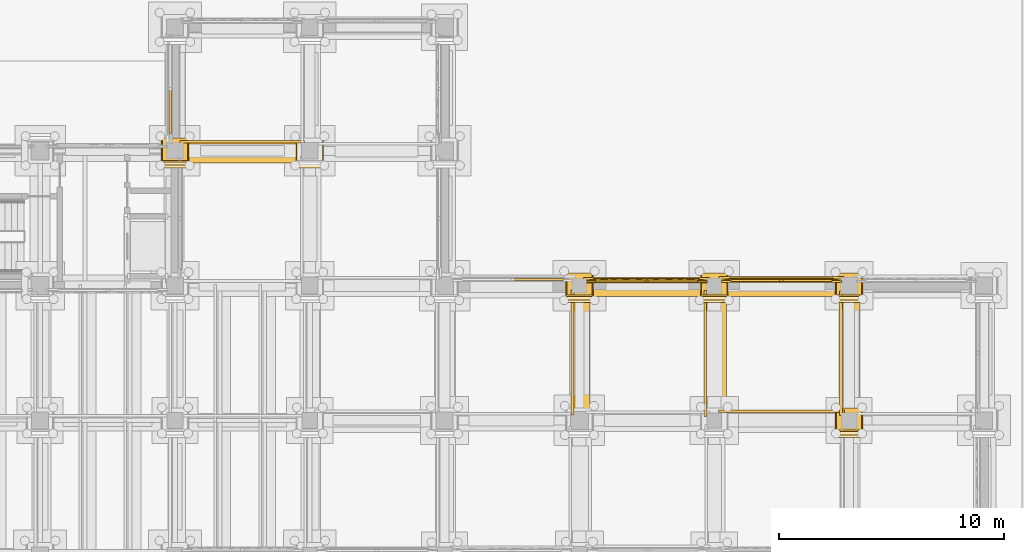
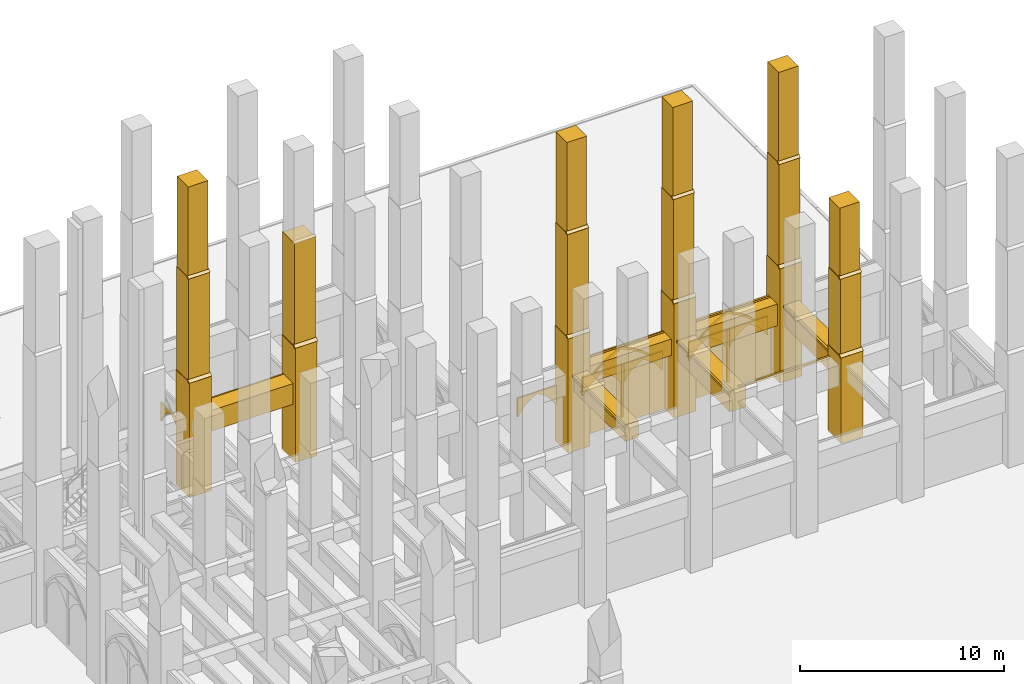
# One storey, part 129 of 135: 55 coverings.
"""IFC4 building model written with IfcOpenShell, lengths in metres."""

from ifc_helpers import new_model, si_unit, direction, frame, origin, origin_2d, place, context, subcontext, project, spatial, polyline, rectangle, outline, extrude, material, type_object, element, save


model = new_model("IFC4")

# Units and contexts
model_context = context("Model", 3, precision=1e-05, world=origin(), true_north=direction((0.0, 1.0)))
body_context = subcontext(model_context, "Body", "Model", "MODEL_VIEW")
ifc_project = project(units=[si_unit("LENGTHUNIT", "METRE"), si_unit("AREAUNIT", "SQUARE_METRE"), si_unit("VOLUMEUNIT", "CUBIC_METRE"), si_unit("PLANEANGLEUNIT", "RADIAN"), si_unit("MASSUNIT", "GRAM", prefix="KILO")], contexts=[model_context])

# Site, building, storey
site_placement = place(None, origin())
site = spatial("IfcSite", under=ifc_project, at=site_placement, CompositionType="ELEMENT")
building_placement = place(site_placement, origin())
building = spatial("IfcBuilding", under=site, at=building_placement, Name="Cumevento Cable Car Station", CompositionType="ELEMENT")
storey_placement = place(building_placement, origin())
storey = spatial("IfcBuildingStorey", under=building, at=storey_placement, Name="L01", CompositionType="ELEMENT", Elevation=0.0)

# Coverings
ifc_material = material(Name="Gnaisse Facoidal Stone Ashlar 85 MPa", Category="masonry")
covering_type = type_object("IfcCoveringType", Name="Gnaisse Ashlar Cladding CV-CL01", PredefinedType="CLADDING", material=ifc_material)
covering_1_placement = place(storey_placement, frame((130.0, 50.909912109375, -0.06005859375), z_axis=(0.0, 0.0, 1.0), x_axis=(1.0, 0.0, 0.0)))
element("IfcCovering", 1, at=covering_1_placement, inside=storey, type_object=covering_type, Name="Stepped Gothic Stone Buttress Tier 1 bt:130.0:51.0", PredefinedType="CLADDING", context=body_context, shape_type="SweptSolid", body=[
    extrude(rectangle(XDim=1.239990234375, YDim=1.300048828125, at=origin_2d()), origin(), (0.0, 0.0, 1.0), 6.885498046875),
])
covering_2_placement = place(storey_placement, frame((129.360107421875, 50.239990234375, 6.8056640625), z_axis=(0.0, -0.711135781079, 0.703054692658), x_axis=(1.0, 0.0, 0.0)))
element("IfcCovering", 2, at=covering_2_placement, inside=storey, type_object=covering_type, Name="Gothic Buttress Sloped Stone Weathering 1 bt:130.0:51.0", PredefinedType="CLADDING", context=body_context, shape_type="SweptSolid", body=[
    extrude(outline(polyline([(0.0, 0.0), (1.27978515625, 0.0), (1.27978515625, 0.24169083397703695), (0.0, 0.24169083397703695), (0.0, 0.0)])), origin(), (0.0, 0.0, -1.0), 0.090087890625),
])
covering_3_placement = place(storey_placement, frame((130.0, 50.969970703125, 6.46337890625), z_axis=(0.0, 0.0, 1.0), x_axis=(1.0, 0.0, 0.0)))
element("IfcCovering", 3, at=covering_3_placement, inside=storey, type_object=covering_type, Name="Stepped Gothic Stone Buttress Tier 2 bt:130.0:51.0", PredefinedType="CLADDING", context=body_context, shape_type="SweptSolid", body=[
    extrude(rectangle(XDim=1.179931640625, YDim=1.179931640625, at=origin_2d()), origin(), (0.0, 0.0, 1.0), 6.523193359375),
])
covering_4_placement = place(storey_placement, frame((129.389892578125, 50.360107421875, 12.96630859375), z_axis=(0.0, -0.714474823669, 0.699661151089), x_axis=(1.0, 0.0, 0.0)))
element("IfcCovering", 4, at=covering_4_placement, inside=storey, type_object=covering_type, Name="Gothic Buttress Sloped Stone Weathering 2 bt:130.0:51.0", PredefinedType="CLADDING", context=body_context, shape_type="SweptSolid", body=[
    extrude(outline(polyline([(0.0, 0.0), (1.22021484375, 0.0), (1.22021484375, 0.21424991728737655), (0.0, 0.21424991728737655), (0.0, 0.0)])), origin(), (0.0, 0.0, -1.0), 0.090087890625),
])
covering_5_placement = place(storey_placement, frame((130.0, 51.02001953125, 12.6240234375), z_axis=(0.0, 0.0, 1.0), x_axis=(1.0, 0.0, 0.0)))
element("IfcCovering", 5, at=covering_5_placement, inside=storey, type_object=covering_type, Name="Stepped Gothic Stone Buttress Tier 3 bt:130.0:51.0", PredefinedType="CLADDING", context=body_context, shape_type="SweptSolid", body=[
    extrude(rectangle(XDim=1.1201171875, YDim=1.080078125, at=origin_2d()), origin(), (0.0, 0.0, 1.0), 5.77587890625),
])
covering_6_placement = place(storey_placement, frame((136.0, 50.909912109375, -0.06005859375), z_axis=(0.0, 0.0, 1.0), x_axis=(1.0, 0.0, 0.0)))
element("IfcCovering", 6, at=covering_6_placement, inside=storey, type_object=covering_type, Name="Stepped Gothic Stone Buttress Tier 1 bt:136.0:51.0", PredefinedType="CLADDING", context=body_context, shape_type="SweptSolid", body=[
    extrude(rectangle(XDim=1.239990234375, YDim=1.300048828125, at=origin_2d()), origin(), (0.0, 0.0, 1.0), 6.885498046875),
])
covering_7_placement = place(storey_placement, frame((135.360107421875, 50.239990234375, 6.8056640625), z_axis=(0.0, -0.711135781079, 0.703054692658), x_axis=(1.0, 0.0, 0.0)))
element("IfcCovering", 7, at=covering_7_placement, inside=storey, type_object=covering_type, Name="Gothic Buttress Sloped Stone Weathering 1 bt:136.0:51.0", PredefinedType="CLADDING", context=body_context, shape_type="SweptSolid", body=[
    extrude(outline(polyline([(0.0, 0.0), (1.27978515625, 0.0), (1.27978515625, 0.24169083397703695), (0.0, 0.24169083397703695), (0.0, 0.0)])), origin(), (0.0, 0.0, -1.0), 0.090087890625),
])
covering_8_placement = place(storey_placement, frame((136.0, 50.969970703125, 6.46337890625), z_axis=(0.0, 0.0, 1.0), x_axis=(1.0, 0.0, 0.0)))
element("IfcCovering", 8, at=covering_8_placement, inside=storey, type_object=covering_type, Name="Stepped Gothic Stone Buttress Tier 2 bt:136.0:51.0", PredefinedType="CLADDING", context=body_context, shape_type="SweptSolid", body=[
    extrude(rectangle(XDim=1.179931640625, YDim=1.179931640625, at=origin_2d()), origin(), (0.0, 0.0, 1.0), 6.523193359375),
])
covering_9_placement = place(storey_placement, frame((148.0, 44.909912109375, -0.06005859375), z_axis=(0.0, 0.0, 1.0), x_axis=(1.0, 0.0, 0.0)))
element("IfcCovering", 9, at=covering_9_placement, inside=storey, type_object=covering_type, Name="Stepped Gothic Stone Buttress Tier 1 bt:148.0:45.0", PredefinedType="CLADDING", context=body_context, shape_type="SweptSolid", body=[
    extrude(rectangle(XDim=1.239990234375, YDim=1.300048828125, at=origin_2d()), origin(), (0.0, 0.0, 1.0), 6.885498046875),
])
covering_10_placement = place(storey_placement, frame((147.360107421875, 44.239990234375, 6.8056640625), z_axis=(0.0, -0.711135781079, 0.703054692658), x_axis=(1.0, 0.0, 0.0)))
element("IfcCovering", 10, at=covering_10_placement, inside=storey, type_object=covering_type, Name="Gothic Buttress Sloped Stone Weathering 1 bt:148.0:45.0", PredefinedType="CLADDING", context=body_context, shape_type="SweptSolid", body=[
    extrude(outline(polyline([(0.0, 0.0), (1.27978515625, 0.0), (1.27978515625, 0.24169083397703695), (0.0, 0.24169083397703695), (0.0, 0.0)])), origin(), (0.0, 0.0, -1.0), 0.090087890625),
])
covering_11_placement = place(storey_placement, frame((148.0, 44.969970703125, 6.46337890625), z_axis=(0.0, 0.0, 1.0), x_axis=(1.0, 0.0, 0.0)))
element("IfcCovering", 11, at=covering_11_placement, inside=storey, type_object=covering_type, Name="Stepped Gothic Stone Buttress Tier 2 bt:148.0:45.0", PredefinedType="CLADDING", context=body_context, shape_type="SweptSolid", body=[
    extrude(rectangle(XDim=1.179931640625, YDim=1.179931640625, at=origin_2d()), origin(), (0.0, 0.0, 1.0), 6.523193359375),
])
covering_12_placement = place(storey_placement, frame((147.389892578125, 44.360107421875, 12.96630859375), z_axis=(0.0, -0.714474823669, 0.699661151089), x_axis=(1.0, 0.0, 0.0)))
element("IfcCovering", 12, at=covering_12_placement, inside=storey, type_object=covering_type, Name="Gothic Buttress Sloped Stone Weathering 2 bt:148.0:45.0", PredefinedType="CLADDING", context=body_context, shape_type="SweptSolid", body=[
    extrude(outline(polyline([(0.0, 0.0), (1.22021484375, 0.0), (1.22021484375, 0.21424991728737655), (0.0, 0.21424991728737655), (0.0, 0.0)])), origin(), (0.0, 0.0, -1.0), 0.090087890625),
])
covering_13_placement = place(storey_placement, frame((148.0, 45.02001953125, 12.6240234375), z_axis=(0.0, 0.0, 1.0), x_axis=(1.0, 0.0, 0.0)))
element("IfcCovering", 13, at=covering_13_placement, inside=storey, type_object=covering_type, Name="Stepped Gothic Stone Buttress Tier 3 bt:148.0:45.0", PredefinedType="CLADDING", context=body_context, shape_type="SweptSolid", body=[
    extrude(rectangle(XDim=1.1201171875, YDim=1.080078125, at=origin_2d()), origin(), (0.0, 0.0, 1.0), 5.77587890625),
])
covering_14_placement = place(storey_placement, frame((154.0, 44.909912109375, -0.06005859375), z_axis=(0.0, 0.0, 1.0), x_axis=(1.0, 0.0, 0.0)))
element("IfcCovering", 14, at=covering_14_placement, inside=storey, type_object=covering_type, Name="Stepped Gothic Stone Buttress Tier 1 bt:154.0:45.0", PredefinedType="CLADDING", context=body_context, shape_type="SweptSolid", body=[
    extrude(rectangle(XDim=1.239990234375, YDim=1.300048828125, at=origin_2d()), origin(), (0.0, 0.0, 1.0), 6.885498046875),
])
covering_15_placement = place(storey_placement, frame((153.360107421875, 44.239990234375, 6.8056640625), z_axis=(0.0, -0.711135781079, 0.703054692658), x_axis=(1.0, 0.0, 0.0)))
element("IfcCovering", 15, at=covering_15_placement, inside=storey, type_object=covering_type, Name="Gothic Buttress Sloped Stone Weathering 1 bt:154.0:45.0", PredefinedType="CLADDING", context=body_context, shape_type="SweptSolid", body=[
    extrude(outline(polyline([(0.0, 0.0), (1.27978515625, 0.0), (1.27978515625, 0.24169083397703695), (0.0, 0.24169083397703695), (0.0, 0.0)])), origin(), (0.0, 0.0, -1.0), 0.090087890625),
])
covering_16_placement = place(storey_placement, frame((154.0, 44.969970703125, 6.46337890625), z_axis=(0.0, 0.0, 1.0), x_axis=(1.0, 0.0, 0.0)))
element("IfcCovering", 16, at=covering_16_placement, inside=storey, type_object=covering_type, Name="Stepped Gothic Stone Buttress Tier 2 bt:154.0:45.0", PredefinedType="CLADDING", context=body_context, shape_type="SweptSolid", body=[
    extrude(rectangle(XDim=1.179931640625, YDim=1.179931640625, at=origin_2d()), origin(), (0.0, 0.0, 1.0), 6.523193359375),
])
covering_17_placement = place(storey_placement, frame((153.389892578125, 44.360107421875, 12.96630859375), z_axis=(0.0, -0.714474823669, 0.699661151089), x_axis=(1.0, 0.0, 0.0)))
element("IfcCovering", 17, at=covering_17_placement, inside=storey, type_object=covering_type, Name="Gothic Buttress Sloped Stone Weathering 2 bt:154.0:45.0", PredefinedType="CLADDING", context=body_context, shape_type="SweptSolid", body=[
    extrude(outline(polyline([(0.0, 0.0), (1.22021484375, 0.0), (1.22021484375, 0.21424991728737655), (0.0, 0.21424991728737655), (0.0, 0.0)])), origin(), (0.0, 0.0, -1.0), 0.090087890625),
])
covering_18_placement = place(storey_placement, frame((154.0, 45.02001953125, 12.6240234375), z_axis=(0.0, 0.0, 1.0), x_axis=(1.0, 0.0, 0.0)))
element("IfcCovering", 18, at=covering_18_placement, inside=storey, type_object=covering_type, Name="Stepped Gothic Stone Buttress Tier 3 bt:154.0:45.0", PredefinedType="CLADDING", context=body_context, shape_type="SweptSolid", body=[
    extrude(rectangle(XDim=1.1201171875, YDim=1.080078125, at=origin_2d()), origin(), (0.0, 0.0, 1.0), 5.77587890625),
])
covering_19_placement = place(storey_placement, frame((160.0, 38.909912109375, -0.06005859375), z_axis=(0.0, 0.0, 1.0), x_axis=(1.0, 0.0, 0.0)))
element("IfcCovering", 19, at=covering_19_placement, inside=storey, type_object=covering_type, Name="Stepped Gothic Stone Buttress Tier 1 bt:160.0:39.0", PredefinedType="CLADDING", context=body_context, shape_type="SweptSolid", body=[
    extrude(rectangle(XDim=1.239990234375, YDim=1.300048828125, at=origin_2d()), origin(), (0.0, 0.0, 1.0), 5.175537109375),
])
covering_20_placement = place(storey_placement, frame((159.360107421875, 38.239990234375, 5.095703125), z_axis=(0.0, -0.711135781079, 0.703054692658), x_axis=(1.0, 0.0, 0.0)))
element("IfcCovering", 20, at=covering_20_placement, inside=storey, type_object=covering_type, Name="Gothic Buttress Sloped Stone Weathering 1 bt:160.0:39.0", PredefinedType="CLADDING", context=body_context, shape_type="SweptSolid", body=[
    extrude(outline(polyline([(0.0, 0.0), (1.27978515625, 0.0), (1.27978515625, 0.24169083397703695), (0.0, 0.24169083397703695), (0.0, 0.0)])), origin(), (0.0, 0.0, -1.0), 0.090087890625),
])
covering_21_placement = place(storey_placement, frame((160.0, 38.969970703125, 4.84326171875), z_axis=(0.0, 0.0, 1.0), x_axis=(1.0, 0.0, 0.0)))
element("IfcCovering", 21, at=covering_21_placement, inside=storey, type_object=covering_type, Name="Stepped Gothic Stone Buttress Tier 2 bt:160.0:39.0", PredefinedType="CLADDING", context=body_context, shape_type="SweptSolid", body=[
    extrude(rectangle(XDim=1.179931640625, YDim=1.179931640625, at=origin_2d()), origin(), (0.0, 0.0, 1.0), 4.9033203125),
])
covering_22_placement = place(storey_placement, frame((159.389892578125, 38.360107421875, 9.726318359375), z_axis=(0.0, -0.714474823669, 0.699661151089), x_axis=(1.0, 0.0, 0.0)))
element("IfcCovering", 22, at=covering_22_placement, inside=storey, type_object=covering_type, Name="Gothic Buttress Sloped Stone Weathering 2 bt:160.0:39.0", PredefinedType="CLADDING", context=body_context, shape_type="SweptSolid", body=[
    extrude(outline(polyline([(0.0, 0.0), (1.22021484375, 0.0), (1.22021484375, 0.21424991728737655), (0.0, 0.21424991728737655), (0.0, 0.0)])), origin(), (0.0, 0.0, -1.0), 0.090087890625),
])
covering_23_placement = place(storey_placement, frame((160.0, 39.02001953125, 9.47412109375), z_axis=(0.0, 0.0, 1.0), x_axis=(1.0, 0.0, 0.0)))
element("IfcCovering", 23, at=covering_23_placement, inside=storey, type_object=covering_type, Name="Stepped Gothic Stone Buttress Tier 3 bt:160.0:39.0", PredefinedType="CLADDING", context=body_context, shape_type="SweptSolid", body=[
    extrude(rectangle(XDim=1.1201171875, YDim=1.080078125, at=origin_2d()), origin(), (0.0, 0.0, 1.0), 4.426025390625),
])
covering_24_placement = place(storey_placement, frame((160.0, 44.909912109375, -0.06005859375), z_axis=(0.0, 0.0, 1.0), x_axis=(1.0, 0.0, 0.0)))
element("IfcCovering", 24, at=covering_24_placement, inside=storey, type_object=covering_type, Name="Stepped Gothic Stone Buttress Tier 1 bt:160.0:45.0", PredefinedType="CLADDING", context=body_context, shape_type="SweptSolid", body=[
    extrude(rectangle(XDim=1.239990234375, YDim=1.300048828125, at=origin_2d()), origin(), (0.0, 0.0, 1.0), 6.885498046875),
])
covering_25_placement = place(storey_placement, frame((159.360107421875, 44.239990234375, 6.8056640625), z_axis=(0.0, -0.711135781079, 0.703054692658), x_axis=(1.0, 0.0, 0.0)))
element("IfcCovering", 25, at=covering_25_placement, inside=storey, type_object=covering_type, Name="Gothic Buttress Sloped Stone Weathering 1 bt:160.0:45.0", PredefinedType="CLADDING", context=body_context, shape_type="SweptSolid", body=[
    extrude(outline(polyline([(0.0, 0.0), (1.27978515625, 0.0), (1.27978515625, 0.24169083397703695), (0.0, 0.24169083397703695), (0.0, 0.0)])), origin(), (0.0, 0.0, -1.0), 0.090087890625),
])
covering_26_placement = place(storey_placement, frame((160.0, 44.969970703125, 6.46337890625), z_axis=(0.0, 0.0, 1.0), x_axis=(1.0, 0.0, 0.0)))
element("IfcCovering", 26, at=covering_26_placement, inside=storey, type_object=covering_type, Name="Stepped Gothic Stone Buttress Tier 2 bt:160.0:45.0", PredefinedType="CLADDING", context=body_context, shape_type="SweptSolid", body=[
    extrude(rectangle(XDim=1.179931640625, YDim=1.179931640625, at=origin_2d()), origin(), (0.0, 0.0, 1.0), 6.523193359375),
])
covering_27_placement = place(storey_placement, frame((159.389892578125, 44.360107421875, 12.96630859375), z_axis=(0.0, -0.714474823669, 0.699661151089), x_axis=(1.0, 0.0, 0.0)))
element("IfcCovering", 27, at=covering_27_placement, inside=storey, type_object=covering_type, Name="Gothic Buttress Sloped Stone Weathering 2 bt:160.0:45.0", PredefinedType="CLADDING", context=body_context, shape_type="SweptSolid", body=[
    extrude(outline(polyline([(0.0, 0.0), (1.22021484375, 0.0), (1.22021484375, 0.21424991728737655), (0.0, 0.21424991728737655), (0.0, 0.0)])), origin(), (0.0, 0.0, -1.0), 0.090087890625),
])
covering_28_placement = place(storey_placement, frame((160.0, 45.02001953125, 12.6240234375), z_axis=(0.0, 0.0, 1.0), x_axis=(1.0, 0.0, 0.0)))
element("IfcCovering", 28, at=covering_28_placement, inside=storey, type_object=covering_type, Name="Stepped Gothic Stone Buttress Tier 3 bt:160.0:45.0", PredefinedType="CLADDING", context=body_context, shape_type="SweptSolid", body=[
    extrude(rectangle(XDim=1.1201171875, YDim=1.080078125, at=origin_2d()), origin(), (0.0, 0.0, 1.0), 5.77587890625),
])
covering_29_placement = place(storey_placement, frame((156.987548828125, 39.407470703125, 4.400146484375), z_axis=(0.0, 0.0, 1.0), x_axis=(1.0, 0.0, 0.0)))
element("IfcCovering", 29, at=covering_29_placement, inside=storey, type_object=covering_type, Name="Gothic Cornice Dripstone Lip sc:0213", PredefinedType="CLADDING", context=body_context, shape_type="SweptSolid", body=[
    extrude(rectangle(XDim=5.60498046875, YDim=0.114990234375, at=origin_2d()), origin(), (0.0, 0.0, 1.0), 0.1298828125),
])
covering_30_placement = place(storey_placement, frame((150.987548828125, 44.89990234375, 3.5400390625), z_axis=(0.0, 0.0, 1.0), x_axis=(1.0, 0.0, 0.0)))
element("IfcCovering", 30, at=covering_30_placement, inside=storey, type_object=covering_type, Name="Gothic Stone Spandrel Stringcourse sc:0217", PredefinedType="CLADDING", context=body_context, shape_type="SweptSolid", body=[
    extrude(rectangle(XDim=5.56494140625, YDim=0.760009765625, at=origin_2d()), origin(), (0.0, 0.0, 1.0), 0.989990234375),
])
covering_31_placement = place(storey_placement, frame((150.987548828125, 45.3076171875, 4.400146484375), z_axis=(0.0, 0.0, 1.0), x_axis=(1.0, 0.0, 0.0)))
element("IfcCovering", 31, at=covering_31_placement, inside=storey, type_object=covering_type, Name="Gothic Cornice Dripstone Lip sc:0217", PredefinedType="CLADDING", context=body_context, shape_type="SweptSolid", body=[
    extrude(rectangle(XDim=5.60498046875, YDim=0.114990234375, at=origin_2d()), origin(), (0.0, 0.0, 1.0), 0.1298828125),
])
covering_32_placement = place(storey_placement, frame((156.987548828125, 44.919921875, 3.239990234375), z_axis=(0.0, 0.0, 1.0), x_axis=(1.0, 0.0, 0.0)))
element("IfcCovering", 32, at=covering_32_placement, inside=storey, type_object=covering_type, Name="Gothic Stone Spandrel Stringcourse sc:0218", PredefinedType="CLADDING", context=body_context, shape_type="SweptSolid", body=[
    extrude(rectangle(XDim=5.514892578125, YDim=0.820068359375, at=origin_2d()), origin(), (0.0, 0.0, 1.0), 1.2900390625),
])
covering_33_placement = place(storey_placement, frame((156.987548828125, 45.357421875, 4.400146484375), z_axis=(0.0, 0.0, 1.0), x_axis=(1.0, 0.0, 0.0)))
element("IfcCovering", 33, at=covering_33_placement, inside=storey, type_object=covering_type, Name="Gothic Cornice Dripstone Lip sc:0218", PredefinedType="CLADDING", context=body_context, shape_type="SweptSolid", body=[
    extrude(rectangle(XDim=5.554931640625, YDim=0.114990234375, at=origin_2d()), origin(), (0.0, 0.0, 1.0), 0.1298828125),
])
covering_34_placement = place(storey_placement, frame((148.10009765625, 42.03759765625, 3.5400390625), z_axis=(0.0, 0.0, 1.0), x_axis=(0.0, 1.0, 0.0)))
element("IfcCovering", 34, at=covering_34_placement, inside=storey, type_object=covering_type, Name="Gothic Stone Spandrel Stringcourse sc:0223", PredefinedType="CLADDING", context=body_context, shape_type="SweptSolid", body=[
    extrude(rectangle(XDim=5.514892578125, YDim=0.760009765625, at=origin_2d()), origin(), (0.0, 0.0, 1.0), 0.989990234375),
])
covering_35_placement = place(storey_placement, frame((147.6923828125, 42.03759765625, 4.400146484375), z_axis=(0.0, 0.0, 1.0), x_axis=(0.0, 1.0, 0.0)))
element("IfcCovering", 35, at=covering_35_placement, inside=storey, type_object=covering_type, Name="Gothic Cornice Dripstone Lip sc:0223", PredefinedType="CLADDING", context=body_context, shape_type="SweptSolid", body=[
    extrude(rectangle(XDim=5.554931640625, YDim=0.114990234375, at=origin_2d()), origin(), (0.0, 0.0, 1.0), 0.1298828125),
])
covering_36_placement = place(storey_placement, frame((154.080078125, 41.987548828125, 3.2900390625), z_axis=(0.0, 0.0, 1.0), x_axis=(0.0, 1.0, 0.0)))
element("IfcCovering", 36, at=covering_36_placement, inside=storey, type_object=covering_type, Name="Gothic Stone Spandrel Stringcourse sc:0225", PredefinedType="CLADDING", context=body_context, shape_type="SweptSolid", body=[
    extrude(rectangle(XDim=5.56494140625, YDim=0.919921875, at=origin_2d()), origin(), (0.0, 0.0, 1.0), 1.239990234375),
])
covering_37_placement = place(storey_placement, frame((153.592529296875, 41.987548828125, 4.400146484375), z_axis=(0.0, 0.0, 1.0), x_axis=(0.0, 1.0, 0.0)))
element("IfcCovering", 37, at=covering_37_placement, inside=storey, type_object=covering_type, Name="Gothic Cornice Dripstone Lip sc:0225", PredefinedType="CLADDING", context=body_context, shape_type="SweptSolid", body=[
    extrude(rectangle(XDim=5.60498046875, YDim=0.114990234375, at=origin_2d()), origin(), (0.0, 0.0, 1.0), 0.1298828125),
])
covering_38_placement = place(storey_placement, frame((160.080078125, 41.987548828125, 3.239990234375), z_axis=(0.0, 0.0, 1.0), x_axis=(0.0, 1.0, 0.0)))
element("IfcCovering", 38, at=covering_38_placement, inside=storey, type_object=covering_type, Name="Gothic Stone Spandrel Stringcourse sc:0227", PredefinedType="CLADDING", context=body_context, shape_type="SweptSolid", body=[
    extrude(rectangle(XDim=5.514892578125, YDim=0.820068359375, at=origin_2d()), origin(), (0.0, 0.0, 1.0), 1.2900390625),
])
covering_39_placement = place(storey_placement, frame((159.642578125, 41.987548828125, 4.400146484375), z_axis=(0.0, 0.0, 1.0), x_axis=(0.0, 1.0, 0.0)))
element("IfcCovering", 39, at=covering_39_placement, inside=storey, type_object=covering_type, Name="Gothic Cornice Dripstone Lip sc:0227", PredefinedType="CLADDING", context=body_context, shape_type="SweptSolid", body=[
    extrude(rectangle(XDim=5.554931640625, YDim=0.114990234375, at=origin_2d()), origin(), (0.0, 0.0, 1.0), 0.1298828125),
])
covering_40_placement = place(storey_placement, frame((133.0, 50.919921875, 3.328125), z_axis=(0.0, 0.0, 1.0), x_axis=(1.0, 0.0, 0.0)))
element("IfcCovering", 40, at=covering_40_placement, inside=storey, type_object=covering_type, Name="Gothic Stone Spandrel Stringcourse sc:0233", PredefinedType="CLADDING", context=body_context, shape_type="SweptSolid", body=[
    extrude(rectangle(XDim=5.489990234375, YDim=0.919921875, at=origin_2d()), origin(), (0.0, 0.0, 1.0), 1.239990234375),
])
covering_41_placement = place(storey_placement, frame((133.0, 51.407470703125, 4.43798828125), z_axis=(0.0, 0.0, 1.0), x_axis=(1.0, 0.0, 0.0)))
element("IfcCovering", 41, at=covering_41_placement, inside=storey, type_object=covering_type, Name="Gothic Cornice Dripstone Lip sc:0233", PredefinedType="CLADDING", context=body_context, shape_type="SweptSolid", body=[
    extrude(rectangle(XDim=5.530029296875, YDim=0.114990234375, at=origin_2d()), origin(), (0.0, 0.0, 1.0), 0.1298828125),
])
covering_42_placement = place(storey_placement, frame((145.08251953125, 45.0, 2.340087890625), z_axis=(0.0, 0.0, 1.0), x_axis=(1.0, 0.0, 0.0)))
element("IfcCovering", 42, at=covering_42_placement, inside=storey, type_object=covering_type, Name="Gothic Ogival Pointed-Arch Stone Spandrel blind_ogival:0083:sub:1", PredefinedType="CLADDING", context=body_context, shape_type="SweptSolid", body=[
    extrude(outline(polyline([(-0.02001953125, 0.0), (-0.02001953125, 1.115966796875), (2.202392578125, 1.115966796875), (2.202392578125, 0.0), (2.142578125, 0.0), (2.02001953125, 0.21337890625), (1.873291015625, 0.4111328125), (1.704833984375, 0.590576171875), (1.5166015625, 0.749267578125), (1.31103515625, 0.885009765625), (1.09130859375, 0.99609375), (0.87158203125, 0.885009765625), (0.666015625, 0.749267578125), (0.477783203125, 0.590576171875), (0.309326171875, 0.4111328125), (0.16259765625, 0.21337890625), (0.0400390625, 0.0), (-0.02001953125, 0.0)])), frame((0.0, 0.31396484375, 0.0), z_axis=(0.0, -1.0, 0.0), x_axis=(1.0, 0.0, 0.0)), (0.0, 0.0, 1.0), 0.090087890625),
])
covering_43_placement = place(storey_placement, frame((148.324951171875, 45.0, 0.0), z_axis=(0.0, 0.0, 1.0), x_axis=(1.0, 0.0, 0.0)))
element("IfcCovering", 43, at=covering_43_placement, inside=storey, type_object=covering_type, Name="Exterior Gnaisse Stone Wall Ashlar #84", PredefinedType="CLADDING", context=body_context, shape_type="SweptSolid", body=[
    extrude(outline(polyline([(-0.0400390625, -0.02001953125), (5.364990234375, -0.02001953125), (5.364990234375, 4.52001953125), (-0.0400390625, 4.52001953125), (-0.0400390625, -0.02001953125)])), frame((0.0, 0.215087890625, 0.0), z_axis=(0.0, -1.0, 0.0), x_axis=(1.0, 0.0, 0.0)), (0.0, 0.0, 1.0), 0.0849609375),
])
placement_1 = place(storey_placement, frame((148.5048828125, 45.0, 0.300048828125), z_axis=(0.0, 0.0, 1.0), x_axis=(1.0, 0.0, 0.0)))
element("IfcCovering", 44, at=placement_1, inside=storey, type_object=covering_type, Name="Gothic Ogival Pointed-Arch Stone Spandrel blind_ogival:0084", PredefinedType="CLADDING", context=body_context, shape_type="SweptSolid", body=[
    extrude(outline(polyline([(-0.050048828125, 0.0), (-0.050048828125, 4.239990234375), (5.014892578125, 4.239990234375), (5.014892578125, 0.0), (4.705078125, 0.0), (4.705078125, 2.219970703125), (4.46337890625, 2.557373046875), (4.1923828125, 2.8720703125), (3.894287109375, 3.1611328125), (3.57177734375, 3.42236328125), (3.22705078125, 3.65380859375), (2.863037109375, 3.853515625), (2.482421875, 4.02001953125), (2.10205078125, 3.853515625), (1.738037109375, 3.65380859375), (1.393310546875, 3.42236328125), (1.07080078125, 3.1611328125), (0.772705078125, 2.8720703125), (0.501708984375, 2.557373046875), (0.260009765625, 2.219970703125), (0.260009765625, 0.0), (-0.050048828125, 0.0)])), frame((0.0, 0.27001953125, 0.0), z_axis=(0.0, -1.0, 0.0), x_axis=(1.0, 0.0, 0.0)), (0.0, 0.0, 1.0), 0.110107421875),
])
covering_45_placement = place(storey_placement, frame((148.5048828125, 45.0, 2.52001953125), z_axis=(0.0, 0.0, 1.0), x_axis=(1.0, 0.0, 0.0)))
element("IfcCovering", 45, at=covering_45_placement, inside=storey, type_object=covering_type, Name="Gothic Pointed Archivolt Hood Moulding blind_ogival:0084", PredefinedType="CLADDING", context=body_context, shape_type="SweptSolid", body=[
    extrude(outline(polyline([(0.260009765625, 0.0), (0.501708984375, 0.33740234375), (0.772705078125, 0.652099609375), (1.07080078125, 0.941162109375), (1.393310546875, 1.202392578125), (1.738037109375, 1.433837890625), (2.10205078125, 1.633544921875), (2.482421875, 1.800048828125), (2.863037109375, 1.633544921875), (3.22705078125, 1.433837890625), (3.57177734375, 1.202392578125), (3.894287109375, 0.941162109375), (4.1923828125, 0.652099609375), (4.46337890625, 0.33740234375), (4.705078125, 0.0), (4.825927734375, 0.0), (4.574951171875, 0.364990234375), (4.291748046875, 0.70556640625), (3.978515625, 1.018798828125), (3.637939453125, 1.30224609375), (3.273193359375, 1.553466796875), (2.886962890625, 1.7705078125), (2.482421875, 1.951171875), (2.078125, 1.7705078125), (1.69189453125, 1.553466796875), (1.3271484375, 1.30224609375), (0.986572265625, 1.018798828125), (0.67333984375, 0.70556640625), (0.39013671875, 0.364990234375), (0.138916015625, 0.0), (0.260009765625, 0.0)])), frame((0.0, 0.31201171875, 0.0), z_axis=(0.0, -1.0, 0.0), x_axis=(1.0, 0.0, 0.0)), (0.0, 0.0, 1.0), 0.06689453125),
])
element("IfcCovering", 46, at=placement_1, inside=storey, type_object=covering_type, Name="Gothic Bifora Stone Colonnette blind_ogival:0084 #1", PredefinedType="CLADDING", context=body_context, shape_type="SweptSolid", body=[
    extrude(outline(polyline([(2.407470703125, -0.02001953125), (2.5576171875, -0.02001953125), (2.5576171875, 3.156005859375), (2.407470703125, 3.156005859375), (2.407470703125, -0.02001953125)])), frame((0.0, 0.258056640625, 0.0), z_axis=(0.0, -1.0, 0.0), x_axis=(1.0, 0.0, 0.0)), (0.0, 0.0, 1.0), 0.094970703125),
])
for number, where, z_axis, x_axis, name in (
    (47, (148.735107421875, 45.0, 2.340087890625), (0.0, 0.0, 1.0), (1.0, 0.0, 0.0), "Gothic Ogival Pointed-Arch Stone Spandrel blind_ogival:0084:sub:0"),
    (48, (151.032470703125, 45.0, 2.340087890625), (0.0, 0.0, 1.0), (1.0, 0.0, 0.0), "Gothic Ogival Pointed-Arch Stone Spandrel blind_ogival:0084:sub:1"),
):
    element("IfcCovering", number, at=place(storey_placement, frame(where, z_axis=z_axis, x_axis=x_axis)), inside=storey, type_object=covering_type, Name=name, PredefinedType="CLADDING", context=body_context, shape_type="SweptSolid", body=[
        extrude(outline(polyline([(-0.02001953125, 0.0), (-0.02001953125, 1.115966796875), (2.2275390625, 1.115966796875), (2.2275390625, 0.0), (2.16748046875, 0.0), (2.04248046875, 0.213623046875), (1.893310546875, 0.41162109375), (1.72265625, 0.591064453125), (1.532470703125, 0.74951171875), (1.3251953125, 0.88525390625), (1.103759765625, 0.99609375), (0.88232421875, 0.88525390625), (0.675048828125, 0.74951171875), (0.48486328125, 0.591064453125), (0.314208984375, 0.41162109375), (0.1650390625, 0.213623046875), (0.0400390625, 0.0), (-0.02001953125, 0.0)])), frame((0.0, 0.25390625, 0.0), z_axis=(0.0, -1.0, 0.0), x_axis=(1.0, 0.0, 0.0)), (0.0, 0.0, 1.0), 0.090087890625),
    ])
covering_47_placement = place(storey_placement, frame((154.35009765625, 45.0, 0.0), z_axis=(0.0, 0.0, 1.0), x_axis=(1.0, 0.0, 0.0)))
element("IfcCovering", 49, at=covering_47_placement, inside=storey, type_object=covering_type, Name="Exterior Gnaisse Stone Wall Ashlar #85", PredefinedType="CLADDING", context=body_context, shape_type="SweptSolid", body=[
    extrude(outline(polyline([(-0.0400390625, -0.02001953125), (5.31494140625, -0.02001953125), (5.31494140625, 4.52001953125), (-0.0400390625, 4.52001953125), (-0.0400390625, -0.02001953125)])), frame((0.0, 0.22509765625, 0.0), z_axis=(0.0, -1.0, 0.0), x_axis=(1.0, 0.0, 0.0)), (0.0, 0.0, 1.0), 0.0849609375),
])
placement_2 = place(storey_placement, frame((154.530029296875, 45.0, 0.300048828125), z_axis=(0.0, 0.0, 1.0), x_axis=(1.0, 0.0, 0.0)))
element("IfcCovering", 50, at=placement_2, inside=storey, type_object=covering_type, Name="Gothic Ogival Pointed-Arch Stone Spandrel blind_ogival:0085", PredefinedType="CLADDING", context=body_context, shape_type="SweptSolid", body=[
    extrude(outline(polyline([(-0.050048828125, 0.0), (-0.050048828125, 4.239990234375), (4.965087890625, 4.239990234375), (4.965087890625, 0.0), (4.655029296875, 0.0), (4.655029296875, 2.219970703125), (4.41748046875, 2.55712890625), (4.150390625, 2.87158203125), (3.856201171875, 3.16064453125), (3.537109375, 3.421875), (3.19580078125, 3.653564453125), (2.8349609375, 3.853515625), (2.45751953125, 4.02001953125), (2.080078125, 3.853515625), (1.71923828125, 3.653564453125), (1.3779296875, 3.421875), (1.058837890625, 3.16064453125), (0.7646484375, 2.87158203125), (0.49755859375, 2.55712890625), (0.260009765625, 2.219970703125), (0.260009765625, 0.0), (-0.050048828125, 0.0)])), frame((0.0, 0.280029296875, 0.0), z_axis=(0.0, -1.0, 0.0), x_axis=(1.0, 0.0, 0.0)), (0.0, 0.0, 1.0), 0.110107421875),
])
covering_49_placement = place(storey_placement, frame((154.530029296875, 45.0, 2.52001953125), z_axis=(0.0, 0.0, 1.0), x_axis=(1.0, 0.0, 0.0)))
element("IfcCovering", 51, at=covering_49_placement, inside=storey, type_object=covering_type, Name="Gothic Pointed Archivolt Hood Moulding blind_ogival:0085", PredefinedType="CLADDING", context=body_context, shape_type="SweptSolid", body=[
    extrude(outline(polyline([(0.260009765625, 0.0), (0.49755859375, 0.337158203125), (0.7646484375, 0.651611328125), (1.058837890625, 0.940673828125), (1.3779296875, 1.201904296875), (1.71923828125, 1.43359375), (2.080078125, 1.633544921875), (2.45751953125, 1.800048828125), (2.8349609375, 1.633544921875), (3.19580078125, 1.43359375), (3.537109375, 1.201904296875), (3.856201171875, 0.940673828125), (4.150390625, 0.651611328125), (4.41748046875, 0.337158203125), (4.655029296875, 0.0), (4.77587890625, 0.0), (4.529052734375, 0.364501953125), (4.249755859375, 0.704833984375), (3.9404296875, 1.01806640625), (3.603515625, 1.3017578125), (3.241943359375, 1.552978515625), (2.85888671875, 1.770263671875), (2.45751953125, 1.951171875), (2.05615234375, 1.770263671875), (1.673095703125, 1.552978515625), (1.3115234375, 1.3017578125), (0.974609375, 1.01806640625), (0.665283203125, 0.704833984375), (0.385986328125, 0.364501953125), (0.138916015625, 0.0), (0.260009765625, 0.0)])), frame((0.0, 0.322021484375, 0.0), z_axis=(0.0, -1.0, 0.0), x_axis=(1.0, 0.0, 0.0)), (0.0, 0.0, 1.0), 0.06689453125),
])
element("IfcCovering", 52, at=placement_2, inside=storey, type_object=covering_type, Name="Gothic Bifora Stone Colonnette blind_ogival:0085 #1", PredefinedType="CLADDING", context=body_context, shape_type="SweptSolid", body=[
    extrude(outline(polyline([(2.382568359375, -0.02001953125), (2.532470703125, -0.02001953125), (2.532470703125, 3.156005859375), (2.382568359375, 3.156005859375), (2.382568359375, -0.02001953125)])), frame((0.0, 0.26806640625, 0.0), z_axis=(0.0, -1.0, 0.0), x_axis=(1.0, 0.0, 0.0)), (0.0, 0.0, 1.0), 0.094970703125),
])
for number, where, z_axis, x_axis, name in (
    (53, (154.760009765625, 45.0, 2.340087890625), (0.0, 0.0, 1.0), (1.0, 0.0, 0.0), "Gothic Ogival Pointed-Arch Stone Spandrel blind_ogival:0085:sub:0"),
    (54, (157.032470703125, 45.0, 2.340087890625), (0.0, 0.0, 1.0), (1.0, 0.0, 0.0), "Gothic Ogival Pointed-Arch Stone Spandrel blind_ogival:0085:sub:1"),
):
    element("IfcCovering", number, at=place(storey_placement, frame(where, z_axis=z_axis, x_axis=x_axis)), inside=storey, type_object=covering_type, Name=name, PredefinedType="CLADDING", context=body_context, shape_type="SweptSolid", body=[
        extrude(outline(polyline([(-0.02001953125, 0.0), (-0.02001953125, 1.115966796875), (2.202392578125, 1.115966796875), (2.202392578125, 0.0), (2.142578125, 0.0), (2.02001953125, 0.21337890625), (1.873291015625, 0.4111328125), (1.704833984375, 0.590576171875), (1.5166015625, 0.749267578125), (1.31103515625, 0.885009765625), (1.09130859375, 0.99609375), (0.87158203125, 0.885009765625), (0.666015625, 0.749267578125), (0.477783203125, 0.590576171875), (0.309326171875, 0.4111328125), (0.16259765625, 0.21337890625), (0.0400390625, 0.0), (-0.02001953125, 0.0)])), frame((0.0, 0.263916015625, 0.0), z_axis=(0.0, -1.0, 0.0), x_axis=(1.0, 0.0, 0.0)), (0.0, 0.0, 1.0), 0.090087890625),
    ])
covering_51_placement = place(storey_placement, frame((130.0, 51.784912109375, 2.340087890625), z_axis=(0.0, 0.0, 1.0), x_axis=(0.0, 1.0, 0.0)))
element("IfcCovering", 55, at=covering_51_placement, inside=storey, type_object=covering_type, Name="Gothic Ogival Pointed-Arch Stone Spandrel blind_ogival:0102:sub:0", PredefinedType="CLADDING", context=body_context, shape_type="SweptSolid", body=[
    extrude(outline(polyline([(-0.02001953125, 0.0), (-0.02001953125, 1.115966796875), (1.93994140625, 1.115966796875), (1.93994140625, 0.0), (1.8798828125, 0.0), (1.78369140625, 0.21044921875), (1.661376953125, 0.40673828125), (1.515625, 0.58642578125), (1.34814453125, 0.74609375), (1.161865234375, 0.88330078125), (0.9599609375, 0.99609375), (0.758056640625, 0.88330078125), (0.57177734375, 0.74609375), (0.404296875, 0.58642578125), (0.258544921875, 0.40673828125), (0.13623046875, 0.21044921875), (0.0400390625, 0.0), (-0.02001953125, 0.0)])), frame((0.0, 0.25390625, 0.0), z_axis=(0.0, -1.0, 0.0), x_axis=(1.0, 0.0, 0.0)), (0.0, 0.0, 1.0), 0.090087890625),
])

save(model, "model.ifc")
